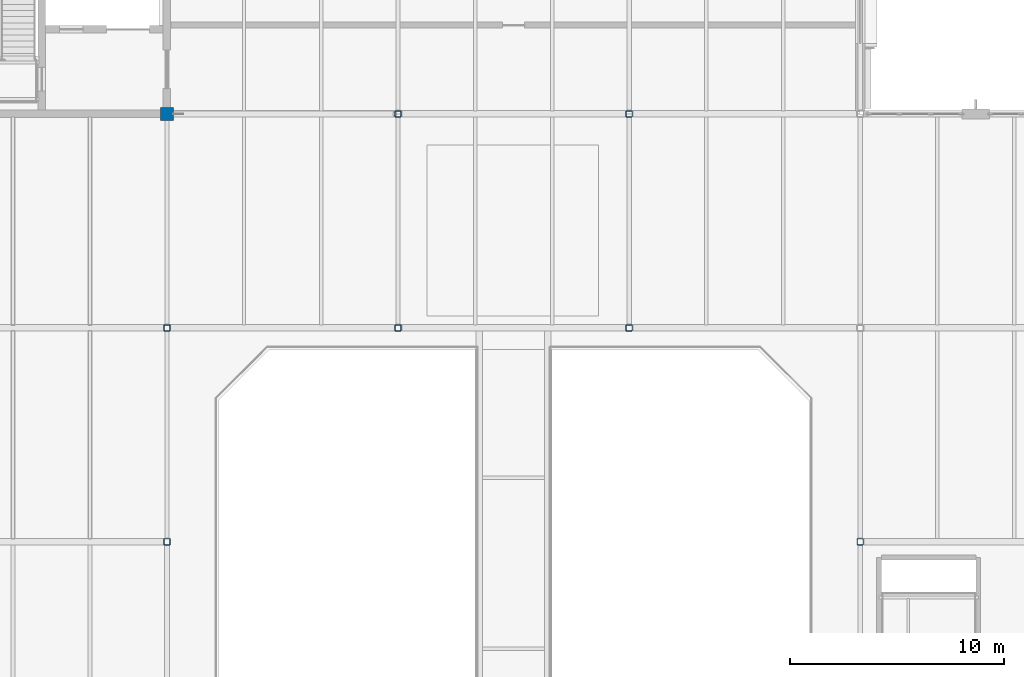
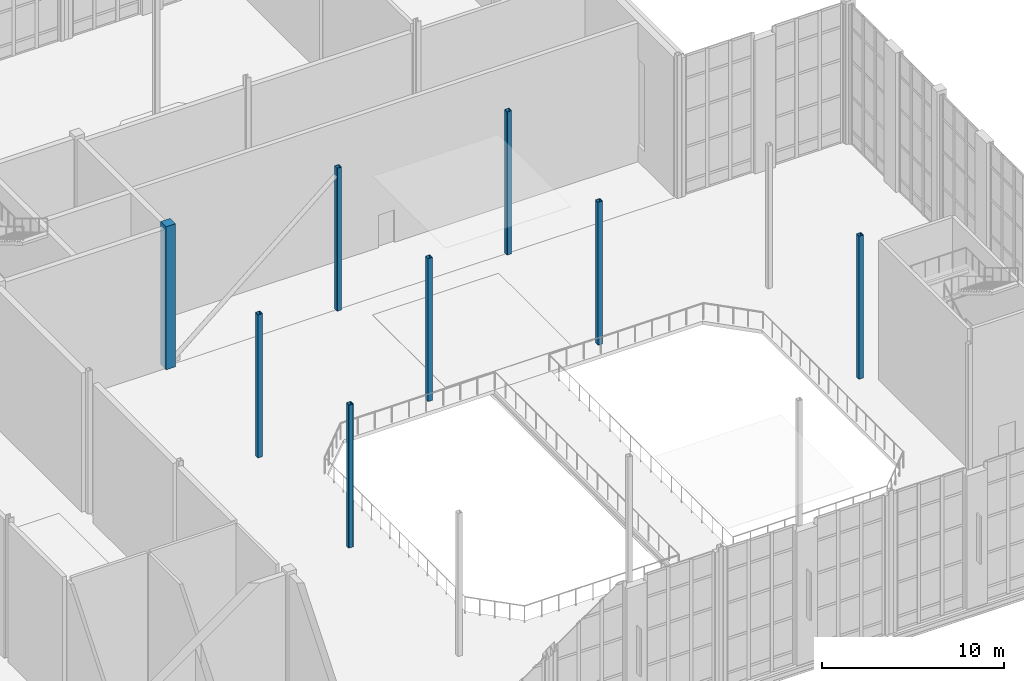
# One storey, part 6 of 100: 8 columns.
"""IFC4 building model written with IfcOpenShell, lengths in metres."""

from ifc_helpers import new_model, si_unit, direction, frame, origin, origin_2d, place, context, subcontext, project, spatial, rectangle, hollow_rectangle, extrude, material, material_profile, profile_set, type_object, element, save


model = new_model("IFC4")

# Units and contexts
model_context = context("Model", 3, precision=1e-05, world=origin(), true_north=direction((0.0, 1.0)))
body_context = subcontext(model_context, "Body", "Model", "MODEL_VIEW")
ifc_project = project(units=[si_unit("LENGTHUNIT", "METRE"), si_unit("AREAUNIT", "SQUARE_METRE"), si_unit("VOLUMEUNIT", "CUBIC_METRE"), si_unit("PLANEANGLEUNIT", "RADIAN"), si_unit("MASSUNIT", "GRAM", prefix="KILO")], contexts=[model_context])

# Site, building, storey
site_placement = place(None, origin())
site = spatial("IfcSite", under=ifc_project, at=site_placement, CompositionType="ELEMENT")
building_placement = place(site_placement, origin())
building = spatial("IfcBuilding", under=site, at=building_placement, Name="Tasgan Crest Museum", CompositionType="ELEMENT")
storey_placement = place(building_placement, frame((0.0, 0.0, 14.39990234375)))
storey = spatial("IfcBuildingStorey", under=building, at=storey_placement, Name="L03", CompositionType="ELEMENT", Elevation=14.39990234375)

# Columns
ifc_material_1 = material(Name="Concrete C40/50", Category="concrete")
ifc_material_profile_1 = material_profile(ifc_material_1, rectangle(XDim=0.60009765625, YDim=0.60009765625, at=origin_2d()), Name="RC 600x600")
ifc_profile_set_1 = profile_set([ifc_material_profile_1], Name="Concrete C40/50")
column_type_1 = type_object("IfcColumnType", Name="COL-RC600", PredefinedType="COLUMN", material=ifc_profile_set_1)
column_placement = place(storey_placement, frame((64.800048828125, 82.0, 0.0), z_axis=(0.0, 0.0, 1.0), x_axis=(1.0, 0.0, 0.0)))
element("IfcColumn", 1, at=column_placement, inside=storey, type_object=column_type_1, Name="Column 7/J L03", PredefinedType="COLUMN", context=body_context, shape_type="SweptSolid", body=[
    extrude(rectangle(XDim=0.60009765625, YDim=0.60009765625, at=origin_2d()), origin(), (0.0, 0.0, 1.0), 9.60009765625),
])
ifc_material_2 = material(Name="Steel S355K2", Category="steel")
ifc_material_profile_2 = material_profile(ifc_material_2, hollow_rectangle(XDim=0.300048828125, YDim=0.300048828125, WallThickness=0.01611328125, InnerFilletRadius=0.01611328125, OuterFilletRadius=0.031982421875, at=origin_2d()), Name="SHS 300x300x16")
ifc_profile_set_2 = profile_set([ifc_material_profile_2], Name="Steel S355K2")
column_type_2 = type_object("IfcColumnType", Name="COL-SHS300", PredefinedType="COLUMN", material=ifc_profile_set_2)
for number, where, z_axis, x_axis, name in (
    (2, (64.800048828125, 62.0, 0.0), (0.0, 0.0, 1.0), (1.0, 0.0, 0.0), "Column 7/G L03"),
    (3, (64.800048828125, 72.0, 0.0), (0.0, 0.0, 1.0), (1.0, 0.0, 0.0), "Column 7/H L03"),
    (4, (75.60009765625, 72.0, 0.0), (0.0, 0.0, 1.0), (1.0, 0.0, 0.0), "Column 8/H L03"),
    (5, (75.60009765625, 82.0, 0.0), (0.0, 0.0, 1.0), (1.0, 0.0, 0.0), "Column 8/J L03"),
    (6, (86.39990234375, 72.0, 0.0), (0.0, 0.0, 1.0), (1.0, 0.0, 0.0), "Column 9/H L03"),
    (7, (86.39990234375, 82.0, 0.0), (0.0, 0.0, 1.0), (1.0, 0.0, 0.0), "Column 9/J L03"),
    (8, (97.199951171875, 62.0, 0.0), (0.0, 0.0, 1.0), (1.0, 0.0, 0.0), "Column 10/G L03"),
):
    element("IfcColumn", number, at=place(storey_placement, frame(where, z_axis=z_axis, x_axis=x_axis)), inside=storey, type_object=column_type_2, Name=name, PredefinedType="COLUMN", context=body_context, shape_type="SweptSolid", body=[
        extrude(hollow_rectangle(XDim=0.300048828125, YDim=0.300048828125, WallThickness=0.01611328125, InnerFilletRadius=0.01611328125, OuterFilletRadius=0.031982421875, at=origin_2d()), origin(), (0.0, 0.0, 1.0), 9.60009765625),
    ])

save(model, "model.ifc")
